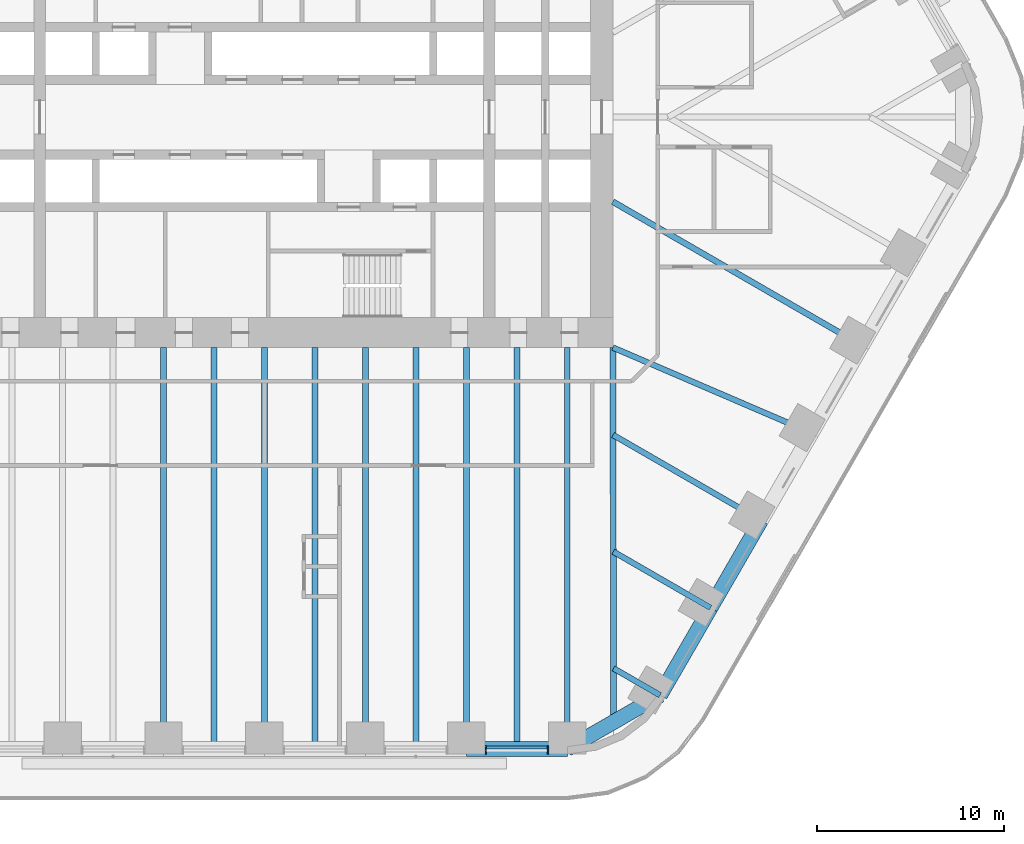
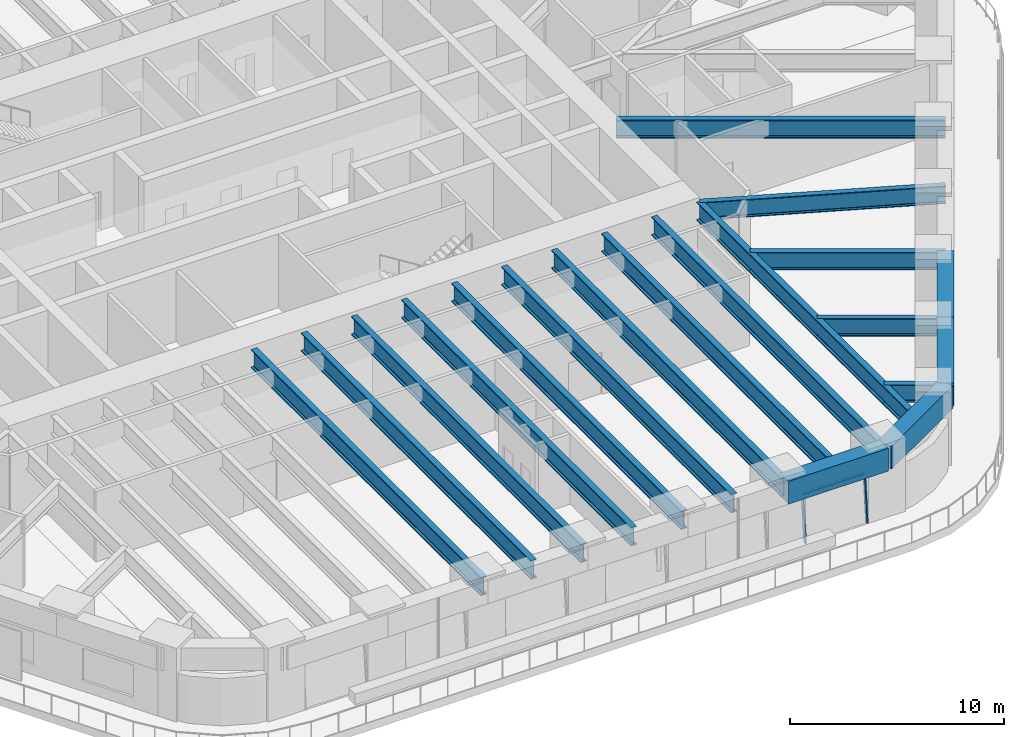
# One storey, part 5 of 24: 19 beams, 3 members, 1 element without a shape of its own.
"""IFC4 building model written with IfcOpenShell, lengths in metres."""

from ifc_helpers import new_model, si_unit, direction, frame, origin, origin_2d, place, context, subcontext, project, spatial, rectangle, i_section, extrude, material, material_profile, profile_set, type_object, element, aggregate, save


model = new_model("IFC4")

# Units and contexts
model_context = context("Model", 3, precision=1e-05, world=origin(), true_north=direction((0.0, 1.0)))
body_context = subcontext(model_context, "Body", "Model", "MODEL_VIEW")
ifc_project = project(units=[si_unit("LENGTHUNIT", "METRE"), si_unit("AREAUNIT", "SQUARE_METRE"), si_unit("VOLUMEUNIT", "CUBIC_METRE"), si_unit("PLANEANGLEUNIT", "RADIAN"), si_unit("MASSUNIT", "GRAM", prefix="KILO")], contexts=[model_context])

# Site, building, storey
site_placement = place(None, origin())
site = spatial("IfcSite", under=ifc_project, at=site_placement, CompositionType="ELEMENT")
building_placement = place(site_placement, origin())
building = spatial("IfcBuilding", under=site, at=building_placement, Name="Tarfa Lantern Tower", CompositionType="ELEMENT")
storey_placement = place(building_placement, frame((0.0, 0.0, 65.5)))
storey = spatial("IfcBuildingStorey", under=building, at=storey_placement, Name="L14", CompositionType="ELEMENT", Elevation=65.5)

# Curtain wall, members
ifc_material_1 = material(Name="Aluminium framed curtain wall", Category="aluminium")
curtain_wall_type = type_object("IfcCurtainWallType", Name="CW1 CANTED GLAZING LOW ZONE 2700", PredefinedType="USERDEFINED", material=ifc_material_1)
curtain_wall_placement = place(storey_placement, origin())
curtain_wall = element("IfcCurtainWall", 1, at=curtain_wall_placement, inside=storey, type_object=curtain_wall_type, Name="CW1 S L14", ObjectType="CURTAIN WALL", PredefinedType="USERDEFINED")
ifc_material_2 = material(Name="Aluminium mullion", Category="aluminium")
ifc_material_profile_1 = material_profile(ifc_material_2, rectangle(XDim=0.06494140625, YDim=0.199951171875, at=origin_2d()), Name="AL MULLION 65x200")
ifc_profile_set_1 = profile_set([ifc_material_profile_1], Name="Aluminium mullion")
member_type_1 = type_object("IfcMemberType", Name="CWM1 MULLION 65x200", PredefinedType="MULLION", material=ifc_profile_set_1)
member_1_placement = place(storey_placement, frame((11.809814453125, -33.89990234375, 0.0), z_axis=(0.0, 0.092199863775, 0.995740520979), x_axis=(-1.0, 0.0, 0.0)))
member_1 = element("IfcMember", 2, at=member_1_placement, type_object=member_type_1, Name="CW1 mullion 1", PredefinedType="MULLION", context=body_context, shape_type="SweptSolid", body=[
    extrude(rectangle(XDim=0.06494140625, YDim=0.199951171875, at=origin_2d()), origin(), (0.0, 0.0, 1.0), 2.71142578125),
])
member_2_placement = place(storey_placement, frame((15.13330078125, -33.89990234375, 0.0), z_axis=(0.0, 0.092199863775, 0.995740520979), x_axis=(-1.0, 0.0, 0.0)))
member_2 = element("IfcMember", 3, at=member_2_placement, type_object=member_type_1, Name="CW1 mullion 2", PredefinedType="MULLION", context=body_context, shape_type="SweptSolid", body=[
    extrude(rectangle(XDim=0.06494140625, YDim=0.199951171875, at=origin_2d()), origin(), (0.0, 0.0, 1.0), 2.71142578125),
])
ifc_material_3 = material(Name="Aluminium transom", Category="aluminium")
ifc_material_profile_2 = material_profile(ifc_material_3, rectangle(XDim=0.14990234375, YDim=0.06494140625, at=origin_2d()), Name="AL TRANSOM 150x65")
ifc_profile_set_2 = profile_set([ifc_material_profile_2], Name="Aluminium transom")
member_type_2 = type_object("IfcMemberType", Name="CWT1 TRANSOM 150x65", PredefinedType="USERDEFINED", material=ifc_profile_set_2)
member_3_placement = place(storey_placement, frame((11.84228515625, -33.653076171875, 2.66748046875), z_axis=(1.0, 0.0, 0.0), x_axis=(0.0, 1.0, 0.0)))
member_3 = element("IfcMember", 4, at=member_3_placement, type_object=member_type_2, Name="CW1 transom 1.2", ObjectType="TRANSOM", PredefinedType="USERDEFINED", context=body_context, shape_type="SweptSolid", body=[
    extrude(rectangle(XDim=0.14990234375, YDim=0.06494140625, at=origin_2d()), origin(), (0.0, 0.0, 1.0), 3.258544921875),
])
aggregate(curtain_wall, [member_1, member_2, member_3])

# Beams
ifc_material_4 = material(Name="Concrete C80/95", Category="concrete")
ifc_material_profile_3 = material_profile(ifc_material_4, rectangle(XDim=0.800048828125, YDim=1.300048828125, at=origin_2d()), Name="RC 800x1300")
ifc_profile_set_3 = profile_set([ifc_material_profile_3], Name="Concrete C80/95")
beam_type_1 = type_object("IfcBeamType", Name="EB1 RC 800x1300", PredefinedType="SPANDREL", material=ifc_profile_set_3)
beam_1_placement = place(storey_placement, frame((10.777099609375, -33.719970703125, 3.35009765625), z_axis=(1.0, 0.0, 0.0), x_axis=(0.0, 1.0, 0.0)))
element("IfcBeam", 5, at=beam_1_placement, inside=storey, type_object=beam_type_1, Name="Edge beam S5", PredefinedType="SPANDREL", context=body_context, shape_type="SweptSolid", body=[
    extrude(rectangle(XDim=0.800048828125, YDim=1.300048828125, at=origin_2d()), origin(), (0.0, 0.0, 1.0), 5.388671875),
])
beam_2_placement = place(storey_placement, frame((16.165771484375, -33.719970703125, 3.35009765625), z_axis=(0.866033479681, 0.499986011877, 0.0), x_axis=(-0.499986011877, 0.866033479681, 0.0)))
element("IfcBeam", 6, at=beam_2_placement, inside=storey, type_object=beam_type_1, Name="Edge beam S6", PredefinedType="SPANDREL", context=body_context, shape_type="SweptSolid", body=[
    extrude(rectangle(XDim=0.800048828125, YDim=1.300048828125, at=origin_2d()), origin(), (0.0, 0.0, 1.0), 5.719970703125),
])
for number, where, z_axis, x_axis, name in (
    (7, (21.119384765625, -30.860107421875, 3.35009765625), (0.499998287579, 0.866026392449, 0.0), (-0.866026392449, 0.499998287579, 0.0), "Edge beam SE0"),
    (8, (23.813720703125, -26.193359375, 3.35009765625), (0.499998287579, 0.866026392449, 0.0), (-0.866026392449, 0.499998287579, 0.0), "Edge beam SE1"),
):
    element("IfcBeam", number, at=place(storey_placement, frame(where, z_axis=z_axis, x_axis=x_axis)), inside=storey, type_object=beam_type_1, Name=name, PredefinedType="SPANDREL", context=body_context, shape_type="SweptSolid", body=[
        extrude(rectangle(XDim=0.800048828125, YDim=1.300048828125, at=origin_2d()), origin(), (0.0, 0.0, 1.0), 5.388671875),
    ])
ifc_material_5 = material(Name="Steel S460M", Category="steel")
ifc_material_profile_4 = material_profile(ifc_material_5, i_section(OverallWidth=0.302001953125, OverallDepth=1.008056640625, WebThickness=0.02099609375, FlangeThickness=0.0400390625, FilletRadius=0.030029296875, at=origin_2d()), Name="UB1016x305x349")
ifc_profile_set_4 = profile_set([ifc_material_profile_4], Name="Steel S460M")
beam_type_2 = type_object("IfcBeamType", Name="UB1016x305x349", PredefinedType="BEAM", material=ifc_profile_set_4)
beam_3_placement = place(storey_placement, frame((21.119384765625, -30.860107421875, 3.495849609375), z_axis=(-0.866012580594, 0.500022209759, 0.0), x_axis=(-0.500022209759, -0.866012580594, 0.0)))
element("IfcBeam", 9, at=beam_3_placement, inside=storey, type_object=beam_type_2, Name="Floor beam SE0", PredefinedType="BEAM", context=body_context, shape_type="SweptSolid", body=[
    extrude(i_section(OverallWidth=0.302001953125, OverallDepth=1.008056640625, WebThickness=0.02099609375, FlangeThickness=0.0400390625, FilletRadius=0.030029296875, at=origin_2d()), origin(), (0.0, 0.0, 1.0), 2.866943359375),
])
beam_4_placement = place(storey_placement, frame((23.813720703125, -26.193359375, 3.495849609375), z_axis=(-0.866015997389, 0.500016292001, 0.0), x_axis=(-0.500016292001, -0.866015997389, 0.0)))
element("IfcBeam", 10, at=beam_4_placement, inside=storey, type_object=beam_type_2, Name="Floor beam SE1", PredefinedType="BEAM", context=body_context, shape_type="SweptSolid", body=[
    extrude(i_section(OverallWidth=0.302001953125, OverallDepth=1.008056640625, WebThickness=0.02099609375, FlangeThickness=0.0400390625, FilletRadius=0.030029296875, at=origin_2d()), origin(), (0.0, 0.0, 1.0), 5.993408203125),
])
beam_5_placement = place(storey_placement, frame((26.508056640625, -21.526611328125, 3.495849609375), z_axis=(-0.866035355799, 0.49998276221, 0.0), x_axis=(-0.49998276221, -0.866035355799, 0.0)))
element("IfcBeam", 11, at=beam_5_placement, inside=storey, type_object=beam_type_2, Name="Floor beam SE2", PredefinedType="BEAM", context=body_context, shape_type="SweptSolid", body=[
    extrude(i_section(OverallWidth=0.302001953125, OverallDepth=1.008056640625, WebThickness=0.02099609375, FlangeThickness=0.0400390625, FilletRadius=0.030029296875, at=origin_2d()), origin(), (0.0, 0.0, 1.0), 9.119873046875),
])
beam_6_placement = place(storey_placement, frame((29.202392578125, -16.860107421875, 3.495849609375), z_axis=(-0.918635483867, 0.395106122175, 0.0), x_axis=(-0.395106122175, -0.918635483867, 0.0)))
element("IfcBeam", 12, at=beam_6_placement, inside=storey, type_object=beam_type_2, Name="Floor beam SE3", PredefinedType="BEAM", context=body_context, shape_type="SweptSolid", body=[
    extrude(i_section(OverallWidth=0.302001953125, OverallDepth=1.008056640625, WebThickness=0.02099609375, FlangeThickness=0.0400390625, FilletRadius=0.030029296875, at=origin_2d()), origin(), (0.0, 0.0, 1.0), 11.541259765625),
])
ifc_material_profile_5 = material_profile(ifc_material_5, i_section(OverallWidth=0.314208984375, OverallDepth=1.055908203125, WebThickness=0.035888671875, FlangeThickness=0.06396484375, FilletRadius=0.030029296875, at=origin_2d()), Name="UB1016x305x584")
ifc_profile_set_5 = profile_set([ifc_material_profile_5], Name="Steel S460M")
beam_type_3 = type_object("IfcBeamType", Name="UB1016x305x584", PredefinedType="BEAM", material=ifc_profile_set_5)
beam_7_placement = place(storey_placement, frame((18.60009765625, -12.300048828125, 3.471923828125), z_axis=(0.00212508222, -0.99999774201, 0.0), x_axis=(0.99999774201, 0.00212508222, 0.0)))
element("IfcBeam", 13, at=beam_7_placement, inside=storey, type_object=beam_type_3, Name="Hip girder SE", PredefinedType="BEAM", context=body_context, shape_type="SweptSolid", body=[
    extrude(i_section(OverallWidth=0.314208984375, OverallDepth=1.055908203125, WebThickness=0.035888671875, FlangeThickness=0.06396484375, FilletRadius=0.030029296875, at=origin_2d()), origin(), (0.0, 0.0, 1.0), 19.989990234375),
])
for number, where, z_axis, x_axis, name in (
    (14, (-5.388671875, -33.719970703125, 3.471923828125), (0.0, 1.0, 0.0), (-1.0, 0.0, 0.0), "Floor beam S2"),
    (15, (0.0, -33.719970703125, 3.471923828125), (0.0, 1.0, 0.0), (-1.0, 0.0, 0.0), "Floor beam S3"),
    (16, (5.388671875, -33.719970703125, 3.471923828125), (0.0, 1.0, 0.0), (-1.0, 0.0, 0.0), "Floor beam S4"),
    (17, (10.777099609375, -33.719970703125, 3.471923828125), (0.0, 1.0, 0.0), (-1.0, 0.0, 0.0), "Floor beam S5"),
    (18, (16.165771484375, -33.719970703125, 3.471923828125), (0.0, 1.0, 0.0), (-1.0, 0.0, 0.0), "Floor beam S6"),
):
    element("IfcBeam", number, at=place(storey_placement, frame(where, z_axis=z_axis, x_axis=x_axis)), inside=storey, type_object=beam_type_3, Name=name, PredefinedType="BEAM", context=body_context, shape_type="SweptSolid", body=[
        extrude(i_section(OverallWidth=0.314208984375, OverallDepth=1.055908203125, WebThickness=0.035888671875, FlangeThickness=0.06396484375, FilletRadius=0.030029296875, at=origin_2d()), origin(), (0.0, 0.0, 1.0), 21.419921875),
    ])
beam_8_placement = place(storey_placement, frame((31.896728515625, -12.193359375, 3.471923828125), z_axis=(-0.866026971665, 0.499997284341, 0.0), x_axis=(-0.499997284341, -0.866026971665, 0.0)))
element("IfcBeam", 19, at=beam_8_placement, inside=storey, type_object=beam_type_3, Name="Floor beam SE4", PredefinedType="BEAM", context=body_context, shape_type="SweptSolid", body=[
    extrude(i_section(OverallWidth=0.314208984375, OverallDepth=1.055908203125, WebThickness=0.035888671875, FlangeThickness=0.06396484375, FilletRadius=0.030029296875, at=origin_2d()), origin(), (0.0, 0.0, 1.0), 15.353515625),
])
for number, where, z_axis, x_axis, name in (
    (20, (-2.6943359375, -33.719970703125, 3.471923828125), (0.0, 1.0, 0.0), (-1.0, 0.0, 0.0), "Floor beam S2M"),
    (21, (2.6943359375, -33.719970703125, 3.471923828125), (0.0, 1.0, 0.0), (-1.0, 0.0, 0.0), "Floor beam S3M"),
    (22, (8.0830078125, -33.719970703125, 3.471923828125), (0.0, 1.0, 0.0), (-1.0, 0.0, 0.0), "Floor beam S4M"),
    (23, (13.471435546875, -33.719970703125, 3.471923828125), (0.0, 1.0, 0.0), (-1.0, 0.0, 0.0), "Floor beam S5M"),
):
    element("IfcBeam", number, at=place(storey_placement, frame(where, z_axis=z_axis, x_axis=x_axis)), inside=storey, type_object=beam_type_3, Name=name, PredefinedType="BEAM", context=body_context, shape_type="SweptSolid", body=[
        extrude(i_section(OverallWidth=0.314208984375, OverallDepth=1.055908203125, WebThickness=0.035888671875, FlangeThickness=0.06396484375, FilletRadius=0.030029296875, at=origin_2d()), origin(), (0.0, 0.0, 1.0), 21.419921875),
    ])

save(model, "model.ifc")
